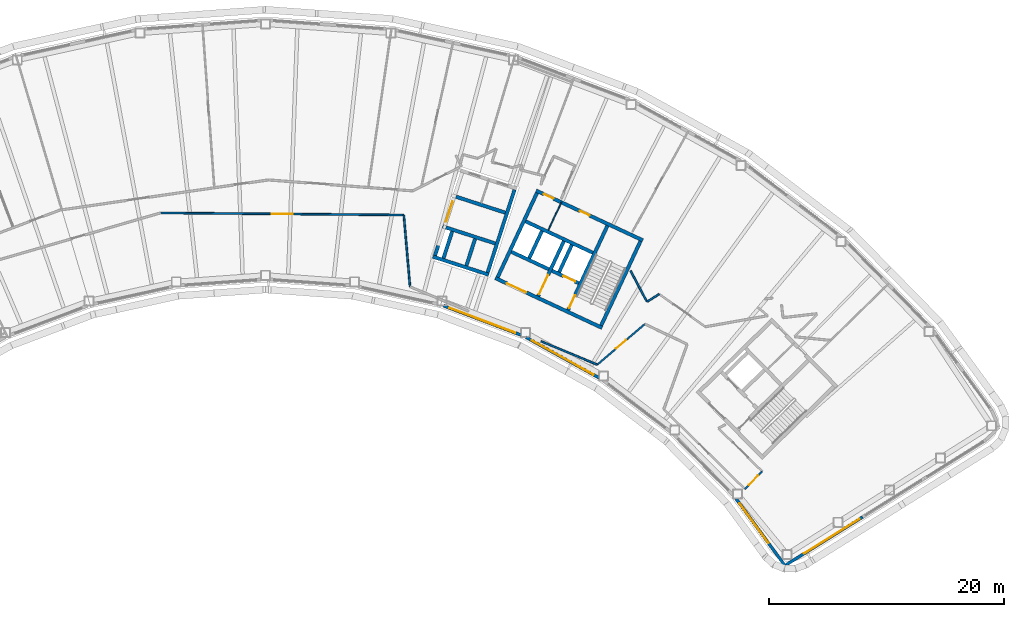
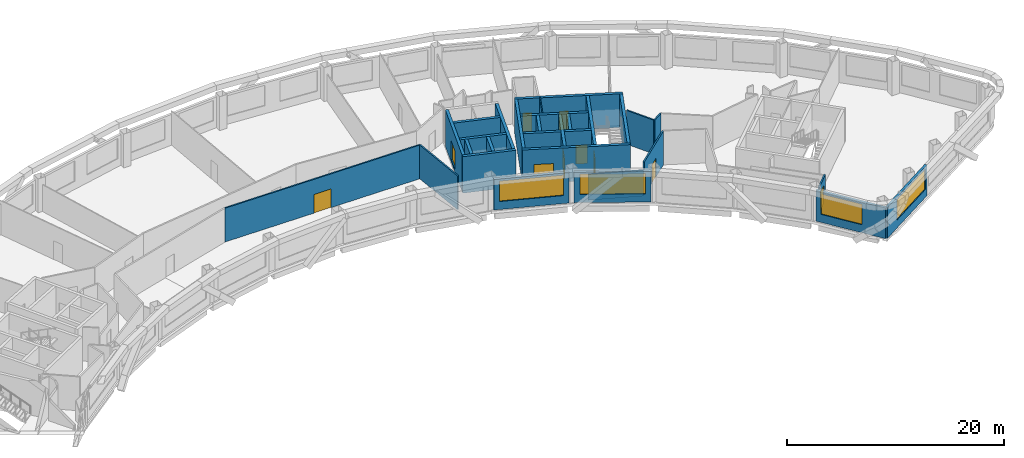
# One storey, part 8 of 18: 30 walls, 10 doors, 4 windows, 14 openings.
"""IFC4 building model written with IfcOpenShell, lengths in metres."""

from ifc_helpers import new_model, si_unit, direction, frame, frame_2d, origin, place, context, subcontext, project, spatial, rectangle, extrude, material, layer, layer_set, type_object, element, fill, save


model = new_model("IFC4")

# Units and contexts
model_context = context("Model", 3, precision=1e-05, world=origin(), true_north=direction((0.0, 1.0)))
body_context = subcontext(model_context, "Body", "Model", "MODEL_VIEW")
ifc_project = project(units=[si_unit("LENGTHUNIT", "METRE"), si_unit("AREAUNIT", "SQUARE_METRE"), si_unit("VOLUMEUNIT", "CUBIC_METRE"), si_unit("PLANEANGLEUNIT", "RADIAN"), si_unit("MASSUNIT", "GRAM", prefix="KILO")], contexts=[model_context])

# Site, building, storey
site_placement = place(None, origin())
site = spatial("IfcSite", under=ifc_project, at=site_placement, CompositionType="ELEMENT")
building_placement = place(site_placement, origin())
building = spatial("IfcBuilding", under=site, at=building_placement, Name="Tuul Gate Civic Tower", CompositionType="ELEMENT")
storey_placement = place(building_placement, frame((0.0, 0.0, 234.699951171875)))
storey = spatial("IfcBuildingStorey", under=building, at=storey_placement, Name="Level 53", CompositionType="ELEMENT", Elevation=234.699951171875)

# Wall, opening, door
ifc_material_1 = material(Name="Concrete C50/60", Category="concrete")
ifc_layer_1 = layer(ifc_material_1, 0.300048828125)
ifc_layer_set_1 = layer_set([ifc_layer_1], Name="Concrete C50/60")
wall_type_1 = type_object("IfcWallType", Name="Core wall C50/60", PredefinedType="SHEAR", material=ifc_layer_set_1)
wall_1_placement = place(storey_placement, frame((34.5283203125, -7.25, 0.0), z_axis=(0.0, 0.0, 1.0), x_axis=(-0.906310338845, 0.422612789327, 0.0)))
wall_1 = element("IfcWall", 1, at=wall_1_placement, inside=storey, type_object=wall_type_1, Name="Core wall", PredefinedType="SHEAR", context=body_context, shape_type="SweptSolid", body=[
    extrude(rectangle(XDim=9.999755859375, YDim=0.300048828125, at=frame_2d((5.0, 0.0))), origin(), (0.0, 0.0, 1.0), 3.800048828125),
])
opening_1_placement = place(wall_1_placement, frame((7.125, 0.0, 0.0)))
opening_1 = element("IfcOpeningElement", 2, at=opening_1_placement, cuts=wall_1, Name="Opening LB-E3-LOBBY-1", PredefinedType="OPENING", context=body_context, shape_type="SweptSolid", body=[
    extrude(rectangle(XDim=1.800048828125, YDim=2.10009765625, at=frame_2d((0.89990234375, 1.050048828125))), frame((0.0, 0.16015625, 0.0), z_axis=(0.0, -1.0, 0.0), x_axis=(1.0, 0.0, 0.0)), (0.0, 0.0, 1.0), 0.320068359375),
])
ifc_material_2 = material(Name="Steel", Category="steel")
door_type_1 = type_object("IfcDoorType", Name="Lobby door", OperationType="DOUBLE_DOOR_SINGLE_SWING", PredefinedType="DOOR", material=ifc_material_2)
door_1_placement = place(opening_1_placement, frame((1.800048828125, 0.0, 0.0), z_axis=(0.0, 0.0, 1.0), x_axis=(-1.0, 0.0, 0.0)))
door_1 = element("IfcDoor", 3, at=door_1_placement, inside=storey, type_object=door_type_1, Name="Lobby door E3-LOBBY", OperationType="DOUBLE_DOOR_SINGLE_SWING", OverallHeight=2.10009765625, OverallWidth=1.800048828125, PredefinedType="DOOR", context=body_context, shape_type="SweptSolid", body=[
    extrude(rectangle(XDim=1.800048828125, YDim=2.10009765625, at=frame_2d((0.900146484375, 1.050048828125))), frame((0.0, 0.02490234375, 0.0), z_axis=(0.0, -1.0, 0.0), x_axis=(1.0, 0.0, 0.0)), (0.0, 0.0, 1.0), 0.050048828125),
])
fill(opening_1, door_1)

wall_2_placement = place(storey_placement, frame((32.545654296875, -3.456787109375, 0.0), z_axis=(0.0, 0.0, 1.0), x_axis=(-0.906300357825, 0.42263419337, 0.0)))
wall_2 = element("IfcWall", 4, at=wall_2_placement, inside=storey, type_object=wall_type_1, Name="Core wall", PredefinedType="SHEAR", context=body_context, shape_type="SweptSolid", body=[
    extrude(rectangle(XDim=2.500244140625, YDim=0.300048828125, at=frame_2d((1.25, 0.0))), origin(), (0.0, 0.0, 1.0), 3.800048828125),
])
opening_2_placement = place(wall_2_placement, frame((0.324951171875, 0.0, 0.0)))
opening_2 = element("IfcOpeningElement", 5, at=opening_2_placement, cuts=wall_2, Name="Opening LD-FF-2", PredefinedType="OPENING", context=body_context, shape_type="SweptSolid", body=[
    extrude(rectangle(XDim=1.10009765625, YDim=2.10009765625, at=frame_2d((0.550048828125, 1.050048828125))), frame((0.0, 0.16015625, 0.0), z_axis=(0.0, -1.0, 0.0), x_axis=(1.0, 0.0, 0.0)), (0.0, 0.0, 1.0), 0.320068359375),
])
ifc_material_3 = material(Name="Stainless steel", Category="steel")
door_type_2 = type_object("IfcDoorType", Name="Landing door", OperationType="DOUBLE_DOOR_SLIDING", PredefinedType="DOOR", material=ifc_material_3)
door_2_placement = place(opening_2_placement, origin())
door_2 = element("IfcDoor", 6, at=door_2_placement, inside=storey, type_object=door_type_2, Name="Fire-fighting lift FF-2 landing door", OperationType="DOUBLE_DOOR_SLIDING", OverallHeight=2.10009765625, OverallWidth=1.10009765625, PredefinedType="DOOR", context=body_context, shape_type="SweptSolid", body=[
    extrude(rectangle(XDim=1.10009765625, YDim=2.10009765625, at=frame_2d((0.550048828125, 1.050048828125))), frame((0.0, 0.02490234375, 0.0), z_axis=(0.0, -1.0, 0.0), x_axis=(1.0, 0.0, 0.0)), (0.0, 0.0, 1.0), 0.050048828125),
])
fill(opening_2, door_2)

# Walls
wall_3_placement = place(storey_placement, frame((30.0078125, -2.2734375, 0.0), z_axis=(0.0, 0.0, 1.0), x_axis=(-0.90630071767, 0.422633421716, 0.0)))
element("IfcWall", 7, at=wall_3_placement, inside=storey, type_object=wall_type_1, Name="Core wall", PredefinedType="SHEAR", context=body_context, shape_type="SweptSolid", body=[
    extrude(rectangle(XDim=3.5, YDim=0.300048828125, at=frame_2d((1.75, 0.0))), origin(), (0.0, 0.0, 1.0), 3.800048828125),
])
wall_4_placement = place(storey_placement, frame((33.75, -0.873779296875, 0.0), z_axis=(0.0, 0.0, 1.0), x_axis=(-0.906300917592, 0.422632992999, 0.0)))
element("IfcWall", 8, at=wall_4_placement, inside=storey, type_object=wall_type_1, Name="Core wall", PredefinedType="SHEAR", context=body_context, shape_type="SweptSolid", body=[
    extrude(rectangle(XDim=6.300048828125, YDim=0.300048828125, at=frame_2d((3.14990234375, 0.0))), origin(), (0.0, 0.0, 1.0), 3.800048828125),
])

# Wall, openings, doors
wall_5_placement = place(storey_placement, frame((37.993408203125, 0.181884765625, 0.0), z_axis=(0.0, 0.0, 1.0), x_axis=(-0.906310338845, 0.422612789327, 0.0)))
wall_5 = element("IfcWall", 9, at=wall_5_placement, inside=storey, type_object=wall_type_1, Name="Core wall", PredefinedType="SHEAR", context=body_context, shape_type="SweptSolid", body=[
    extrude(rectangle(XDim=9.999755859375, YDim=0.300048828125, at=frame_2d((5.0, 0.0))), origin(), (0.0, 0.0, 1.0), 3.800048828125),
])
opening_3_placement = place(wall_5_placement, frame((4.99365234375, 0.0, 0.0)))
opening_3 = element("IfcOpeningElement", 10, at=opening_3_placement, cuts=wall_5, Name="Opening S-D35", PredefinedType="OPENING", context=body_context, shape_type="SweptSolid", body=[
    extrude(rectangle(XDim=0.89990234375, YDim=2.10009765625, at=frame_2d((0.449951171875, 1.050048828125))), frame((0.0, 0.16015625, 0.0), z_axis=(0.0, -1.0, 0.0), x_axis=(1.0, 0.0, 0.0)), (0.0, 0.0, 1.0), 0.320068359375),
])
opening_4_placement = place(wall_5_placement, frame((8.368896484375, 0.0, 0.0)))
opening_4 = element("IfcOpeningElement", 11, at=opening_4_placement, cuts=wall_5, Name="Opening S-D36", PredefinedType="OPENING", context=body_context, shape_type="SweptSolid", body=[
    extrude(rectangle(XDim=0.89990234375, YDim=2.10009765625, at=frame_2d((0.449951171875, 1.050048828125))), frame((0.0, 0.16015625, 0.0), z_axis=(0.0, -1.0, 0.0), x_axis=(1.0, 0.0, 0.0)), (0.0, 0.0, 1.0), 0.320068359375),
])
ifc_material_4 = material(Name="Timber door leaf", Category="wood")
door_type_3 = type_object("IfcDoorType", Name="Door D09", OperationType="NOTDEFINED", PredefinedType="DOOR", material=ifc_material_4)
door_3_placement = place(opening_3_placement, origin())
door_3 = element("IfcDoor", 12, at=door_3_placement, inside=storey, type_object=door_type_3, Name="Door S-D35", OperationType="SINGLE_SWING_LEFT", OverallHeight=2.10009765625, OverallWidth=0.89990234375, PredefinedType="DOOR", context=body_context, shape_type="SweptSolid", body=[
    extrude(rectangle(XDim=0.89990234375, YDim=2.10009765625, at=frame_2d((0.449951171875, 1.050048828125))), frame((0.0, 0.02490234375, 0.0), z_axis=(0.0, -1.0, 0.0), x_axis=(1.0, 0.0, 0.0)), (0.0, 0.0, 1.0), 0.050048828125),
])
fill(opening_3, door_3)
door_4_placement = place(opening_4_placement, origin())
door_4 = element("IfcDoor", 13, at=door_4_placement, inside=storey, type_object=door_type_3, Name="Door S-D36", OperationType="SINGLE_SWING_RIGHT", OverallHeight=2.10009765625, OverallWidth=0.89990234375, PredefinedType="DOOR", context=body_context, shape_type="SweptSolid", body=[
    extrude(rectangle(XDim=0.89990234375, YDim=2.10009765625, at=frame_2d((0.449951171875, 1.050048828125))), frame((0.0, 0.02490234375, 0.0), z_axis=(0.0, -1.0, 0.0), x_axis=(1.0, 0.0, 0.0)), (0.0, 0.0, 1.0), 0.050048828125),
])
fill(opening_4, door_4)

# Wall
wall_6_placement = place(storey_placement, frame((34.455810546875, -7.05078125, 0.0), z_axis=(0.0, 0.0, 1.0), x_axis=(0.422570768258, 0.906329932096, 0.0)))
element("IfcWall", 14, at=wall_6_placement, inside=storey, type_object=wall_type_1, Name="Core wall", PredefinedType="SHEAR", context=body_context, shape_type="SweptSolid", body=[
    extrude(rectangle(XDim=7.900146484375, YDim=0.300048828125, at=frame_2d((3.9501953125, 0.0))), origin(), (0.0, 0.0, 1.0), 3.800048828125),
])

# Wall, opening, door
wall_7_placement = place(storey_placement, frame((31.646240234375, -5.740478515625, 0.0), z_axis=(0.0, 0.0, 1.0), x_axis=(0.422582604137, 0.906324413596, 0.0)))
wall_7 = element("IfcWall", 15, at=wall_7_placement, inside=storey, type_object=wall_type_1, Name="Core wall", PredefinedType="SHEAR", context=body_context, shape_type="SweptSolid", body=[
    extrude(rectangle(XDim=7.89990234375, YDim=0.300048828125, at=frame_2d((3.949951171875, 0.0))), origin(), (0.0, 0.0, 1.0), 3.800048828125),
])
opening_5_placement = place(wall_7_placement, frame((0.199951171875, 0.0, 0.0)))
opening_5 = element("IfcOpeningElement", 16, at=opening_5_placement, cuts=wall_7, Name="Opening SD-ST-4", PredefinedType="OPENING", context=body_context, shape_type="SweptSolid", body=[
    extrude(rectangle(XDim=1.199951171875, YDim=2.10009765625, at=frame_2d((0.60009765625, 1.050048828125))), frame((0.0, 0.16015625, 0.0), z_axis=(0.0, -1.0, 0.0), x_axis=(1.0, 0.0, 0.0)), (0.0, 0.0, 1.0), 0.320068359375),
])
ifc_material_5 = material(Name="Steel", Category="steel")
door_type_4 = type_object("IfcDoorType", Name="Stair door", OperationType="NOTDEFINED", PredefinedType="DOOR", material=ifc_material_5)
door_5_placement = place(opening_5_placement, origin())
door_5 = element("IfcDoor", 17, at=door_5_placement, inside=storey, type_object=door_type_4, Name="Stair door ST-4", OperationType="SINGLE_SWING_LEFT", OverallHeight=2.10009765625, OverallWidth=1.199951171875, PredefinedType="DOOR", context=body_context, shape_type="SweptSolid", body=[
    extrude(rectangle(XDim=1.199951171875, YDim=2.10009765625, at=frame_2d((0.60009765625, 1.050048828125))), frame((0.0, 0.02490234375, 0.0), z_axis=(0.0, -1.0, 0.0), x_axis=(1.0, 0.0, 0.0)), (0.0, 0.0, 1.0), 0.050048828125),
])
fill(opening_5, door_5)

# Wall
wall_8_placement = place(storey_placement, frame((30.886962890625, -2.517822265625, 0.0), z_axis=(0.0, 0.0, 1.0), x_axis=(0.422612891016, 0.906310291427, 0.0)))
element("IfcWall", 18, at=wall_8_placement, inside=storey, type_object=wall_type_1, Name="Core wall", PredefinedType="SHEAR", context=body_context, shape_type="SweptSolid", body=[
    extrude(rectangle(XDim=2.550048828125, YDim=0.300048828125, at=frame_2d((1.27490234375, 0.0))), origin(), (0.0, 0.0, 1.0), 3.800048828125),
])

# Wall, opening, door
wall_9_placement = place(storey_placement, frame((29.108642578125, -4.557373046875, 0.0), z_axis=(0.0, 0.0, 1.0), x_axis=(0.422566235356, 0.90633204552, 0.0)))
wall_9 = element("IfcWall", 19, at=wall_9_placement, inside=storey, type_object=wall_type_1, Name="Core wall", PredefinedType="SHEAR", context=body_context, shape_type="SweptSolid", body=[
    extrude(rectangle(XDim=5.150146484375, YDim=0.300048828125, at=frame_2d((2.5751953125, 0.0))), origin(), (0.0, 0.0, 1.0), 3.800048828125),
])
opening_6_placement = place(wall_9_placement, frame((0.175048828125, 0.0, 0.0)))
opening_6 = element("IfcOpeningElement", 20, at=opening_6_placement, cuts=wall_9, Name="Opening LB-E3-FLOBBY-1", PredefinedType="OPENING", context=body_context, shape_type="SweptSolid", body=[
    extrude(rectangle(XDim=1.800048828125, YDim=2.10009765625, at=frame_2d((0.89990234375, 1.050048828125))), frame((0.0, 0.16015625, 0.0), z_axis=(0.0, -1.0, 0.0), x_axis=(1.0, 0.0, 0.0)), (0.0, 0.0, 1.0), 0.320068359375),
])
door_6_placement = place(opening_6_placement, frame((1.800048828125, 0.0, 0.0), z_axis=(0.0, 0.0, 1.0), x_axis=(-1.0, 0.0, 0.0)))
door_6 = element("IfcDoor", 21, at=door_6_placement, inside=storey, type_object=door_type_1, Name="Lobby door E3-FLOBBY", OperationType="DOUBLE_DOOR_SINGLE_SWING", OverallHeight=2.10009765625, OverallWidth=1.800048828125, PredefinedType="DOOR", context=body_context, shape_type="SweptSolid", body=[
    extrude(rectangle(XDim=1.800048828125, YDim=2.10009765625, at=frame_2d((0.900146484375, 1.050048828125))), frame((0.0, 0.02490234375, 0.0), z_axis=(0.0, -1.0, 0.0), x_axis=(1.0, 0.0, 0.0)), (0.0, 0.0, 1.0), 0.050048828125),
])
fill(opening_6, door_6)

# Walls
wall_10_placement = place(storey_placement, frame((28.349365234375, -1.33447265625, 0.0), z_axis=(0.0, 0.0, 1.0), x_axis=(0.422612891016, 0.906310291427, 0.0)))
element("IfcWall", 22, at=wall_10_placement, inside=storey, type_object=wall_type_1, Name="Core wall", PredefinedType="SHEAR", context=body_context, shape_type="SweptSolid", body=[
    extrude(rectangle(XDim=2.550048828125, YDim=0.300048828125, at=frame_2d((1.27490234375, 0.0))), origin(), (0.0, 0.0, 1.0), 3.800048828125),
])
wall_11_placement = place(storey_placement, frame((25.66455078125, -2.951416015625, 0.0), z_axis=(0.0, 0.0, 1.0), x_axis=(0.422582604137, 0.906324413596, 0.0)))
element("IfcWall", 23, at=wall_11_placement, inside=storey, type_object=wall_type_1, Name="Core wall", PredefinedType="SHEAR", context=body_context, shape_type="SweptSolid", body=[
    extrude(rectangle(XDim=7.89990234375, YDim=0.300048828125, at=frame_2d((3.949951171875, 0.0))), origin(), (0.0, 0.0, 1.0), 3.800048828125),
])
ifc_material_6 = material(Name="Gypsum board partition")
ifc_layer_2 = layer(ifc_material_6, 0.14990234375)
ifc_layer_set_2 = layer_set([ifc_layer_2], Name="Gypsum board partition")
wall_type_2 = type_object("IfcWallType", Name="Corridor wall P150", PredefinedType="PARTITIONING", material=ifc_layer_set_2)
wall_12_placement = place(storey_placement, frame((38.361328125, -5.024169921875, 0.0), z_axis=(0.0, 0.0, 1.0), x_axis=(0.8454163714, 0.534107815866, 0.0)))
element("IfcWall", 24, at=wall_12_placement, inside=storey, type_object=wall_type_2, Name="p017", PredefinedType="PARTITIONING", context=body_context, shape_type="SweptSolid", body=[
    extrude(rectangle(XDim=1.199951171875, YDim=0.14990234375, at=frame_2d((0.60009765625, 0.0))), origin(), (0.0, 0.0, 1.0), 3.800048828125),
])
wall_13_placement = place(storey_placement, frame((36.954345703125, -2.402099609375, 0.0), z_axis=(0.0, 0.0, 1.0), x_axis=(0.466277520407, -0.884638499028, 0.0)))
element("IfcWall", 25, at=wall_13_placement, inside=storey, type_object=wall_type_2, Name="p018", PredefinedType="PARTITIONING", context=body_context, shape_type="SweptSolid", body=[
    extrude(rectangle(XDim=2.955078125, YDim=0.14990234375, at=frame_2d((1.4775390625, 0.0))), origin(), (0.0, 0.0, 1.0), 3.800048828125),
])

# Wall, opening, door
wall_14_placement = place(storey_placement, frame((34.125244140625, -10.377197265625, 0.0), z_axis=(0.0, 0.0, 1.0), x_axis=(0.760435764654, 0.649413156499, 0.0)))
wall_14 = element("IfcWall", 26, at=wall_14_placement, inside=storey, type_object=wall_type_2, Name="p064", PredefinedType="PARTITIONING", context=body_context, shape_type="SweptSolid", body=[
    extrude(rectangle(XDim=5.299560546875, YDim=0.14990234375, at=frame_2d((2.64990234375, 0.0))), origin(), (0.0, 0.0, 1.0), 3.800048828125),
])
opening_7_placement = place(wall_14_placement, frame((2.099853515625, 0.0, 0.0)))
opening_7 = element("IfcOpeningElement", 27, at=opening_7_placement, cuts=wall_14, Name="Opening S-D28", PredefinedType="OPENING", context=body_context, shape_type="SweptSolid", body=[
    extrude(rectangle(XDim=1.10009765625, YDim=2.10009765625, at=frame_2d((0.550048828125, 1.050048828125))), frame((0.0, 0.0849609375, 0.0), z_axis=(0.0, -1.0, 0.0), x_axis=(1.0, 0.0, 0.0)), (0.0, 0.0, 1.0), 0.169921875),
])
ifc_material_7 = material(Name="Timber door leaf", Category="wood")
door_type_5 = type_object("IfcDoorType", Name="Door D11", OperationType="NOTDEFINED", PredefinedType="DOOR", material=ifc_material_7)
door_7_placement = place(opening_7_placement, frame((1.10009765625, 0.0, 0.0), z_axis=(0.0, 0.0, 1.0), x_axis=(-1.0, 0.0, 0.0)))
door_7 = element("IfcDoor", 28, at=door_7_placement, inside=storey, type_object=door_type_5, Name="Door S-D28", OperationType="SINGLE_SWING_LEFT", OverallHeight=2.10009765625, OverallWidth=1.10009765625, PredefinedType="DOOR", context=body_context, shape_type="SweptSolid", body=[
    extrude(rectangle(XDim=1.10009765625, YDim=2.10009765625, at=frame_2d((0.550048828125, 1.050048828125))), frame((0.0, 0.02490234375, 0.0), z_axis=(0.0, -1.0, 0.0), x_axis=(1.0, 0.0, 0.0)), (0.0, 0.0, 1.0), 0.050048828125),
])
fill(opening_7, door_7)

wall_15_placement = place(storey_placement, frame((-2.96533203125, 2.5107421875, 0.0), z_axis=(0.0, 0.0, 1.0), x_axis=(0.999963347502, -0.008561755267, 0.0)))
wall_15 = element("IfcWall", 29, at=wall_15_placement, inside=storey, type_object=wall_type_2, Name="p070", PredefinedType="PARTITIONING", context=body_context, shape_type="SweptSolid", body=[
    extrude(rectangle(XDim=20.64501953125, YDim=0.14990234375, at=frame_2d((10.322509765625, 0.0))), origin(), (0.0, 0.0, 1.0), 3.800048828125),
])
opening_8_placement = place(wall_15_placement, frame((9.422607421875, 0.0, 0.0)))
opening_8 = element("IfcOpeningElement", 30, at=opening_8_placement, cuts=wall_15, Name="Opening S-D15", PredefinedType="OPENING", context=body_context, shape_type="SweptSolid", body=[
    extrude(rectangle(XDim=1.800048828125, YDim=2.10009765625, at=frame_2d((0.89990234375, 1.050048828125))), frame((0.0, 0.0849609375, 0.0), z_axis=(0.0, -1.0, 0.0), x_axis=(1.0, 0.0, 0.0)), (0.0, 0.0, 1.0), 0.169921875),
])
ifc_material_8 = material(Name="Timber door leaf, double", Category="wood")
door_type_6 = type_object("IfcDoorType", Name="Door D18", OperationType="DOUBLE_DOOR_SINGLE_SWING", PredefinedType="DOOR", material=ifc_material_8)
door_8_placement = place(opening_8_placement, frame((1.800048828125, 0.0, 0.0), z_axis=(0.0, 0.0, 1.0), x_axis=(-1.0, 0.0, 0.0)))
door_8 = element("IfcDoor", 31, at=door_8_placement, inside=storey, type_object=door_type_6, Name="Door S-D15", OperationType="DOUBLE_DOOR_SINGLE_SWING", OverallHeight=2.10009765625, OverallWidth=1.800048828125, PredefinedType="DOOR", context=body_context, shape_type="SweptSolid", body=[
    extrude(rectangle(XDim=1.800048828125, YDim=2.10009765625, at=frame_2d((0.900146484375, 1.050048828125))), frame((0.0, 0.02490234375, 0.0), z_axis=(0.0, -1.0, 0.0), x_axis=(1.0, 0.0, 0.0)), (0.0, 0.0, 1.0), 0.050048828125),
])
fill(opening_8, door_8)

# Walls
wall_16_placement = place(storey_placement, frame((17.69580078125, 2.315673828125, 0.0), z_axis=(0.0, 0.0, 1.0), x_axis=(0.085976709337, -0.996297147166, 0.0)))
element("IfcWall", 32, at=wall_16_placement, inside=storey, type_object=wall_type_2, Name="p071", PredefinedType="PARTITIONING", context=body_context, shape_type="SweptSolid", body=[
    extrude(rectangle(XDim=6.099609375, YDim=0.14990234375, at=frame_2d((3.0498046875, 0.0))), origin(), (0.0, 0.0, 1.0), 3.800048828125),
])
ifc_material_9 = material(Name="Gypsum board partition")
ifc_layer_3 = layer(ifc_material_9, 0.14990234375)
ifc_layer_set_3 = layer_set([ifc_layer_3], Name="Gypsum board partition")
wall_type_3 = type_object("IfcWallType", Name="Corridor wall P150 2900 HIGH", PredefinedType="PARTITIONING", material=ifc_layer_set_3)
wall_17_placement = place(storey_placement, frame((29.347412109375, -8.3896484375, 0.0), z_axis=(0.0, 0.0, 1.0), x_axis=(0.923297313235, -0.384086020799, 0.0)))
element("IfcWall", 33, at=wall_17_placement, inside=storey, type_object=wall_type_3, Name="p063", PredefinedType="PARTITIONING", context=body_context, shape_type="SweptSolid", body=[
    extrude(rectangle(XDim=5.1748046875, YDim=0.14990234375, at=frame_2d((2.58740234375, 0.0))), origin(), (0.0, 0.0, 1.0), 2.900146484375),
])

# Wall, opening, door
ifc_material_10 = material(Name="Gypsum board partition")
ifc_layer_4 = layer(ifc_material_10, 0.14990234375)
ifc_layer_set_4 = layer_set([ifc_layer_4], Name="Gypsum board partition")
wall_type_4 = type_object("IfcWallType", Name="Corridor wall P150 3000 HIGH", PredefinedType="PARTITIONING", material=ifc_layer_set_4)
wall_18_placement = place(storey_placement, frame((46.661376953125, -20.94091796875, 0.0), z_axis=(0.0, 0.0, 1.0), x_axis=(0.701035523923, 0.713126352197, 0.0)))
wall_18 = element("IfcWall", 34, at=wall_18_placement, inside=storey, type_object=wall_type_4, Name="p004", PredefinedType="PARTITIONING", context=body_context, shape_type="SweptSolid", body=[
    extrude(rectangle(XDim=2.10009765625, YDim=0.14990234375, at=frame_2d((1.050048828125, 0.0))), origin(), (0.0, 0.0, 1.0), 3.0),
])
opening_9_placement = place(wall_18_placement, frame((0.5, 0.0, 0.0)))
opening_9 = element("IfcOpeningElement", 35, at=opening_9_placement, cuts=wall_18, Name="Opening S-D191", PredefinedType="OPENING", context=body_context, shape_type="SweptSolid", body=[
    extrude(rectangle(XDim=1.10009765625, YDim=2.10009765625, at=frame_2d((0.550048828125, 1.050048828125))), frame((0.0, 0.0849609375, 0.0), z_axis=(0.0, -1.0, 0.0), x_axis=(1.0, 0.0, 0.0)), (0.0, 0.0, 1.0), 0.169921875),
])
door_9_placement = place(opening_9_placement, frame((1.10009765625, 0.0, 0.0), z_axis=(0.0, 0.0, 1.0), x_axis=(-1.0, 0.0, 0.0)))
door_9 = element("IfcDoor", 36, at=door_9_placement, inside=storey, type_object=door_type_5, Name="Door S-D19", OperationType="SINGLE_SWING_RIGHT", OverallHeight=2.10009765625, OverallWidth=1.10009765625, PredefinedType="DOOR", context=body_context, shape_type="SweptSolid", body=[
    extrude(rectangle(XDim=1.10009765625, YDim=2.10009765625, at=frame_2d((0.550048828125, 1.050048828125))), frame((0.0, 0.02490234375, 0.0), z_axis=(0.0, -1.0, 0.0), x_axis=(1.0, 0.0, 0.0)), (0.0, 0.0, 1.0), 0.050048828125),
])
fill(opening_9, door_9)

# Wall, opening, window
ifc_material_11 = material(Name="Precast concrete C40/50", Category="concrete")
ifc_layer_5 = layer(ifc_material_11, 0.25)
ifc_layer_set_5 = layer_set([ifc_layer_5], Name="Precast concrete C40/50")
wall_type_5 = type_object("IfcWallType", Name="External wall", PredefinedType="STANDARD", material=ifc_layer_set_5)
wall_19_placement = place(storey_placement, frame((21.065673828125, -5.373046875, 0.0), z_axis=(0.0, 0.0, 1.0), x_axis=(0.935371552972, -0.353666591426, 0.0)))
wall_19 = element("IfcWall", 37, at=wall_19_placement, inside=storey, type_object=wall_type_5, Name="External wall", PredefinedType="STANDARD", context=body_context, shape_type="SweptSolid", body=[
    extrude(rectangle(XDim=7.013671875, YDim=0.25, at=frame_2d((3.5068359375, 0.0))), origin(), (0.0, 0.0, 1.0), 3.449951171875),
])
opening_10_placement = place(wall_19_placement, frame((0.523193359375, 0.0, 0.89990234375)))
opening_10 = element("IfcOpeningElement", 38, at=opening_10_placement, cuts=wall_19, Name="Opening W26", PredefinedType="OPENING", context=body_context, shape_type="SweptSolid", body=[
    extrude(rectangle(XDim=6.0, YDim=2.300048828125, at=frame_2d((3.0, 1.14990234375))), frame((0.0, 0.135009765625, 0.0), z_axis=(0.0, -1.0, 0.0), x_axis=(1.0, 0.0, 0.0)), (0.0, 0.0, 1.0), 0.27001953125),
])
ifc_material_12 = material(Name="Glass", Category="glass")
window_type_1 = type_object("IfcWindowType", Name="Window W26 6000 x 2300", PartitioningType="SINGLE_PANEL", PredefinedType="WINDOW", material=ifc_material_12)
window_1_placement = place(opening_10_placement, origin())
window_1 = element("IfcWindow", 39, at=window_1_placement, inside=storey, type_object=window_type_1, Name="Window", OverallHeight=2.300048828125, OverallWidth=6.0, PartitioningType="SINGLE_PANEL", PredefinedType="WINDOW", context=body_context, shape_type="SweptSolid", body=[
    extrude(rectangle(XDim=6.0, YDim=2.300048828125, at=frame_2d((3.0, 1.14990234375))), frame((0.0, 0.030029296875, 0.0), z_axis=(0.0, -1.0, 0.0), x_axis=(1.0, 0.0, 0.0)), (0.0, 0.0, 1.0), 0.06005859375),
])
fill(opening_10, window_1)

wall_20_placement = place(storey_placement, frame((28.07861328125, -8.05810546875, 0.0), z_axis=(0.0, 0.0, 1.0), x_axis=(0.874625686175, -0.484798833625, 0.0)))
wall_20 = element("IfcWall", 40, at=wall_20_placement, inside=storey, type_object=wall_type_5, Name="External wall", PredefinedType="STANDARD", context=body_context, shape_type="SweptSolid", body=[
    extrude(rectangle(XDim=7.074462890625, YDim=0.25, at=frame_2d((3.537109375, 0.0))), origin(), (0.0, 0.0, 1.0), 3.449951171875),
])
opening_11_placement = place(wall_20_placement, frame((0.556396484375, 0.0, 0.89990234375)))
opening_11 = element("IfcOpeningElement", 41, at=opening_11_placement, cuts=wall_20, Name="Opening W26", PredefinedType="OPENING", context=body_context, shape_type="SweptSolid", body=[
    extrude(rectangle(XDim=6.0, YDim=2.300048828125, at=frame_2d((3.0, 1.14990234375))), frame((0.0, 0.135009765625, 0.0), z_axis=(0.0, -1.0, 0.0), x_axis=(1.0, 0.0, 0.0)), (0.0, 0.0, 1.0), 0.27001953125),
])
window_2_placement = place(opening_11_placement, origin())
window_2 = element("IfcWindow", 42, at=window_2_placement, inside=storey, type_object=window_type_1, Name="Window", OverallHeight=2.300048828125, OverallWidth=6.0, PartitioningType="SINGLE_PANEL", PredefinedType="WINDOW", context=body_context, shape_type="SweptSolid", body=[
    extrude(rectangle(XDim=6.0, YDim=2.300048828125, at=frame_2d((3.0, 1.14990234375))), frame((0.0, 0.030029296875, 0.0), z_axis=(0.0, -1.0, 0.0), x_axis=(1.0, 0.0, 0.0)), (0.0, 0.0, 1.0), 0.06005859375),
])
fill(opening_11, window_2)

wall_21_placement = place(storey_placement, frame((45.91064453125, -21.759033203125, 0.0), z_axis=(0.0, 0.0, 1.0), x_axis=(0.589749390831, -0.8075863149, 0.0)))
wall_21 = element("IfcWall", 43, at=wall_21_placement, inside=storey, type_object=wall_type_5, Name="External wall", PredefinedType="STANDARD", context=body_context, shape_type="SweptSolid", body=[
    extrude(rectangle(XDim=7.033935546875, YDim=0.25, at=frame_2d((3.51708984375, 0.0))), origin(), (0.0, 0.0, 1.0), 3.449951171875),
])
opening_12_placement = place(wall_21_placement, frame((0.527587890625, 0.0, 0.89990234375)))
opening_12 = element("IfcOpeningElement", 44, at=opening_12_placement, cuts=wall_21, Name="Opening W25", PredefinedType="OPENING", context=body_context, shape_type="SweptSolid", body=[
    extrude(rectangle(XDim=4.14990234375, YDim=2.300048828125, at=frame_2d((2.074951171875, 1.14990234375))), frame((0.0, 0.135009765625, 0.0), z_axis=(0.0, -1.0, 0.0), x_axis=(1.0, 0.0, 0.0)), (0.0, 0.0, 1.0), 0.27001953125),
])
ifc_material_13 = material(Name="Glass", Category="glass")
window_type_2 = type_object("IfcWindowType", Name="Window W25 4150 x 2300", PartitioningType="SINGLE_PANEL", PredefinedType="WINDOW", material=ifc_material_13)
window_3_placement = place(opening_12_placement, origin())
window_3 = element("IfcWindow", 45, at=window_3_placement, inside=storey, type_object=window_type_2, Name="Window", OverallHeight=2.300048828125, OverallWidth=4.14990234375, PartitioningType="SINGLE_PANEL", PredefinedType="WINDOW", context=body_context, shape_type="SweptSolid", body=[
    extrude(rectangle(XDim=4.14990234375, YDim=2.300048828125, at=frame_2d((2.074951171875, 1.14990234375))), frame((0.0, 0.030029296875, 0.0), z_axis=(0.0, -1.0, 0.0), x_axis=(1.0, 0.0, 0.0)), (0.0, 0.0, 1.0), 0.06005859375),
])
fill(opening_12, window_3)

wall_22_placement = place(storey_placement, frame((50.058837890625, -27.439453125, 0.0), z_axis=(0.0, 0.0, 1.0), x_axis=(0.848052898081, 0.529911579471, 0.0)))
wall_22 = element("IfcWall", 46, at=wall_22_placement, inside=storey, type_object=wall_type_5, Name="External wall", PredefinedType="STANDARD", context=body_context, shape_type="SweptSolid", body=[
    extrude(rectangle(XDim=7.78759765625, YDim=0.25, at=frame_2d((3.893798828125, 0.0))), origin(), (0.0, 0.0, 1.0), 3.449951171875),
])
opening_13_placement = place(wall_22_placement, frame((1.92138671875, 0.0, 0.89990234375)))
opening_13 = element("IfcOpeningElement", 47, at=opening_13_placement, cuts=wall_22, Name="Opening W24", PredefinedType="OPENING", context=body_context, shape_type="SweptSolid", body=[
    extrude(rectangle(XDim=5.550048828125, YDim=2.300048828125, at=frame_2d((2.77490234375, 1.14990234375))), frame((0.0, 0.135009765625, 0.0), z_axis=(0.0, -1.0, 0.0), x_axis=(1.0, 0.0, 0.0)), (0.0, 0.0, 1.0), 0.27001953125),
])
ifc_material_14 = material(Name="Glass", Category="glass")
window_type_3 = type_object("IfcWindowType", Name="Window W24 5550 x 2300", PartitioningType="SINGLE_PANEL", PredefinedType="WINDOW", material=ifc_material_14)
window_4_placement = place(opening_13_placement, origin())
window_4 = element("IfcWindow", 48, at=window_4_placement, inside=storey, type_object=window_type_3, Name="Window", OverallHeight=2.300048828125, OverallWidth=5.550048828125, PartitioningType="SINGLE_PANEL", PredefinedType="WINDOW", context=body_context, shape_type="SweptSolid", body=[
    extrude(rectangle(XDim=5.550048828125, YDim=2.300048828125, at=frame_2d((2.77490234375, 1.14990234375))), frame((0.0, 0.030029296875, 0.0), z_axis=(0.0, -1.0, 0.0), x_axis=(1.0, 0.0, 0.0)), (0.0, 0.0, 1.0), 0.06005859375),
])
fill(opening_13, window_4)

# Walls
ifc_material_15 = material(Name="Concrete C40/50", Category="concrete")
ifc_layer_6 = layer(ifc_material_15, 0.300048828125)
ifc_layer_set_6 = layer_set([ifc_layer_6], Name="Concrete C40/50")
wall_type_6 = type_object("IfcWallType", Name="Lift shaft wall C40/50", PredefinedType="STANDARD", material=ifc_layer_set_6)
wall_23_placement = place(storey_placement, frame((24.911376953125, -2.746337890625, -0.300048828125), z_axis=(0.0, 0.0, 1.0), x_axis=(-0.951067792613, 0.308982287281, 0.0)))
element("IfcWall", 49, at=wall_23_placement, inside=storey, type_object=wall_type_6, Name="Shaft wall", PredefinedType="STANDARD", context=body_context, shape_type="SweptSolid", body=[
    extrude(rectangle(XDim=5.0, YDim=0.300048828125, at=frame_2d((2.5, 0.0))), origin(), (0.0, 0.0, 1.0), 4.10009765625),
])
wall_24_placement = place(storey_placement, frame((25.460693359375, -0.0859375, -0.300048828125), z_axis=(0.0, 0.0, 1.0), x_axis=(-0.951063829732, 0.308994485023, 0.0)))
element("IfcWall", 50, at=wall_24_placement, inside=storey, type_object=wall_type_6, Name="Shaft wall", PredefinedType="STANDARD", context=body_context, shape_type="SweptSolid", body=[
    extrude(rectangle(XDim=4.400146484375, YDim=0.300048828125, at=frame_2d((2.2001953125, 0.0))), origin(), (0.0, 0.0, 1.0), 4.10009765625),
])
wall_25_placement = place(storey_placement, frame((26.310546875, 2.529541015625, -0.300048828125), z_axis=(0.0, 0.0, 1.0), x_axis=(-0.951058531764, 0.30901079133, 0.0)))
element("IfcWall", 51, at=wall_25_placement, inside=storey, type_object=wall_type_6, Name="Shaft wall", PredefinedType="STANDARD", context=body_context, shape_type="SweptSolid", body=[
    extrude(rectangle(XDim=4.39990234375, YDim=0.300048828125, at=frame_2d((2.199951171875, 0.0))), origin(), (0.0, 0.0, 1.0), 4.10009765625),
])
wall_26_placement = place(storey_placement, frame((24.815185546875, -2.557373046875, -0.300048828125), z_axis=(0.0, 0.0, 1.0), x_axis=(0.30907264409, 0.951038432807, 0.0)))
element("IfcWall", 52, at=wall_26_placement, inside=storey, type_object=wall_type_6, Name="Shaft wall", PredefinedType="STANDARD", context=body_context, shape_type="SweptSolid", body=[
    extrude(rectangle(XDim=7.39990234375, YDim=0.300048828125, at=frame_2d((3.699951171875, 0.0))), origin(), (0.0, 0.0, 1.0), 4.10009765625),
])
for number, where, z_axis, x_axis, name in (
    (53, (23.008056640625, -1.97021484375, -0.300048828125), (0.0, 0.0, 1.0), (0.309138975195, 0.951016873675, 0.0), "Shaft wall"),
    (54, (21.058349609375, -1.336669921875, -0.300048828125), (0.0, 0.0, 1.0), (0.309138975195, 0.951016873675, 0.0), "Shaft wall"),
):
    element("IfcWall", number, at=place(storey_placement, frame(where, z_axis=z_axis, x_axis=x_axis)), inside=storey, type_object=wall_type_6, Name=name, PredefinedType="STANDARD", context=body_context, shape_type="SweptSolid", body=[
        extrude(rectangle(XDim=2.400146484375, YDim=0.300048828125, at=frame_2d((1.2001953125, 0.0))), origin(), (0.0, 0.0, 1.0), 4.10009765625),
    ])

# Wall, opening, door
wall_27_placement = place(storey_placement, frame((20.34521484375, -1.10498046875, -0.300048828125), z_axis=(0.0, 0.0, 1.0), x_axis=(0.30907264409, 0.951038432807, 0.0)))
wall_27 = element("IfcWall", 55, at=wall_27_placement, inside=storey, type_object=wall_type_6, Name="Shaft wall", PredefinedType="STANDARD", context=body_context, shape_type="SweptSolid", body=[
    extrude(rectangle(XDim=7.39990234375, YDim=0.300048828125, at=frame_2d((3.699951171875, 0.0))), origin(), (0.0, 0.0, 1.0), 4.10009765625),
])
opening_14_placement = place(wall_27_placement, frame((3.02490234375, 0.0, 0.300048828125)))
opening_14 = element("IfcOpeningElement", 56, at=opening_14_placement, cuts=wall_27, Name="Opening LB-E4-LOBBY-1", PredefinedType="OPENING", context=body_context, shape_type="SweptSolid", body=[
    extrude(rectangle(XDim=1.800048828125, YDim=2.10009765625, at=frame_2d((0.89990234375, 1.050048828125))), frame((0.0, 0.16015625, 0.0), z_axis=(0.0, -1.0, 0.0), x_axis=(1.0, 0.0, 0.0)), (0.0, 0.0, 1.0), 0.320068359375),
])
door_10_placement = place(opening_14_placement, frame((1.800048828125, 0.0, 0.0), z_axis=(0.0, 0.0, 1.0), x_axis=(-1.0, 0.0, 0.0)))
door_10 = element("IfcDoor", 57, at=door_10_placement, inside=storey, type_object=door_type_1, Name="Lobby door E4-LOBBY", OperationType="DOUBLE_DOOR_SINGLE_SWING", OverallHeight=2.10009765625, OverallWidth=1.800048828125, PredefinedType="DOOR", context=body_context, shape_type="SweptSolid", body=[
    extrude(rectangle(XDim=1.800048828125, YDim=2.10009765625, at=frame_2d((0.900146484375, 1.050048828125))), frame((0.0, 0.02490234375, 0.0), z_axis=(0.0, -1.0, 0.0), x_axis=(1.0, 0.0, 0.0)), (0.0, 0.0, 1.0), 0.050048828125),
])
fill(opening_14, door_10)

# Wall
ifc_material_16 = material(Name="Gypsum board partition")
ifc_layer_7 = layer(ifc_material_16, 0.10009765625)
ifc_layer_set_7 = layer_set([ifc_layer_7], Name="Gypsum board partition")
wall_type_7 = type_object("IfcWallType", Name="Partition P100", PredefinedType="PARTITIONING", material=ifc_layer_set_7)
wall_28_placement = place(storey_placement, frame((29.972900390625, 1.052978515625, 0.0), z_axis=(0.0, 0.0, 1.0), x_axis=(0.422556439746, 0.906336612539, 0.0)))
element("IfcWall", 58, at=wall_28_placement, inside=storey, type_object=wall_type_7, Name="bE3-BAND-0", PredefinedType="PARTITIONING", context=body_context, shape_type="SweptSolid", body=[
    extrude(rectangle(XDim=2.599853515625, YDim=0.10009765625, at=frame_2d((1.2998046875, 0.0))), origin(), (0.0, 0.0, 1.0), 3.800048828125),
])

save(model, "model.ifc")
